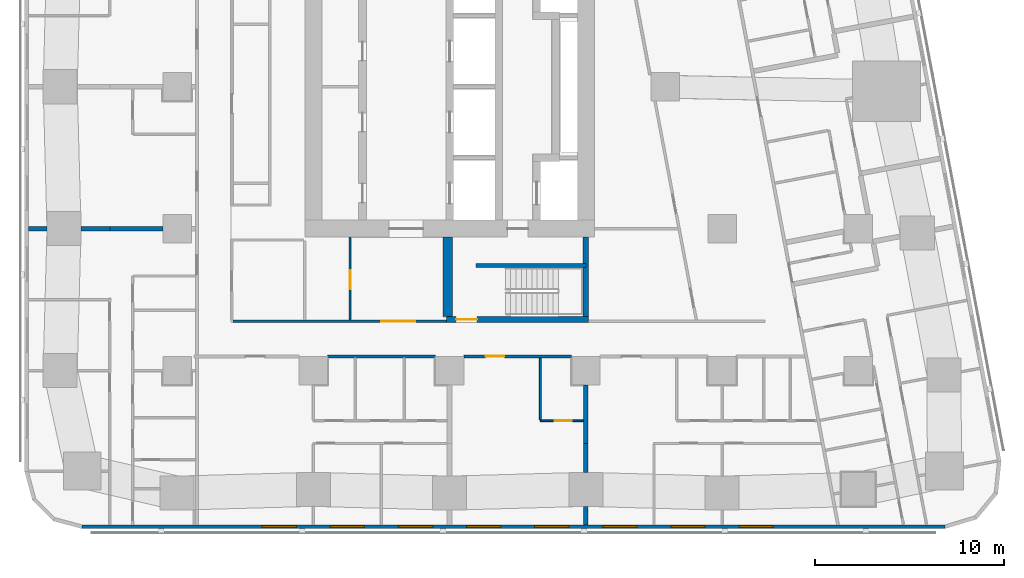
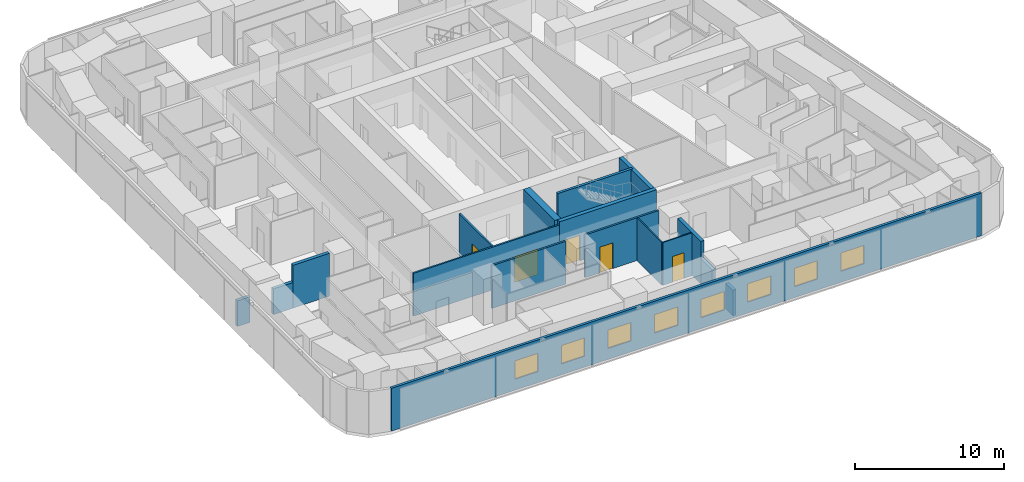
# One storey, part 3 of 15: 17 walls, 8 windows, 5 doors, 13 openings.
"""IFC4 building model written with IfcOpenShell, lengths in metres."""

from ifc_helpers import new_model, si_unit, direction, frame, frame_2d, origin, place, context, subcontext, project, spatial, rectangle, extrude, material, layer, layer_set, type_object, element, fill, save


model = new_model("IFC4")

# Units and contexts
model_context = context("Model", 3, precision=1e-05, world=origin(), true_north=direction((0.0, 1.0)))
body_context = subcontext(model_context, "Body", "Model", "MODEL_VIEW")
ifc_project = project(units=[si_unit("LENGTHUNIT", "METRE"), si_unit("AREAUNIT", "SQUARE_METRE"), si_unit("VOLUMEUNIT", "CUBIC_METRE"), si_unit("PLANEANGLEUNIT", "RADIAN"), si_unit("MASSUNIT", "GRAM", prefix="KILO")], contexts=[model_context])

# Site, building, storey
site_placement = place(None, origin())
site = spatial("IfcSite", under=ifc_project, at=site_placement, CompositionType="ELEMENT")
building_placement = place(site_placement, origin())
building = spatial("IfcBuilding", under=site, at=building_placement, Name="Sheger Commons Tower", CompositionType="ELEMENT")
storey_placement = place(building_placement, frame((0.0, 0.0, 177.050048828125)))
storey = spatial("IfcBuildingStorey", under=building, at=storey_placement, Name="L45", CompositionType="ELEMENT", Elevation=177.050048828125)

# Wall, opening, door
ifc_material_1 = material(Name="Hollow concrete block masonry, skimmed both sides", Category="masonry")
ifc_layer_1 = layer(ifc_material_1, 0.14990234375)
ifc_layer_set_1 = layer_set([ifc_layer_1], Name="CORRIDOR WALL 150")
wall_type_1 = type_object("IfcWallType", Name="CORRIDOR WALL 150", PredefinedType="SOLIDWALL", material=ifc_layer_set_1)
wall_1_placement = place(storey_placement, frame((28.049072265625, 8.25, 0.0), z_axis=(0.0, 0.0, 1.0), x_axis=(-1.0, 0.0, 0.0)))
wall_1 = element("IfcWall", 1, at=wall_1_placement, inside=storey, type_object=wall_type_1, Name="Corridor wall L45", PredefinedType="SOLIDWALL", context=body_context, shape_type="SweptSolid", body=[
    extrude(rectangle(XDim=5.697998046875, YDim=0.14990234375, at=frame_2d((2.84912109375, 0.0))), origin(), (0.0, 0.0, 1.0), 3.5),
])
opening_1_placement = place(wall_1_placement, frame((3.549072265625, 0.0, 0.0)))
opening_1 = element("IfcOpeningElement", 2, at=opening_1_placement, cuts=wall_1, Name="Opening D1", PredefinedType="OPENING", context=body_context, shape_type="SweptSolid", body=[
    extrude(rectangle(XDim=1.0, YDim=2.10009765625, at=frame_2d((0.5, 1.050048828125))), frame((0.0, 0.0849609375, 0.0), z_axis=(0.0, -1.0, 0.0), x_axis=(1.0, 0.0, 0.0)), (0.0, 0.0, 1.0), 0.169921875),
])
ifc_material_2 = material(Name="Steel door set, fire rated", Category="steel")
door_type_1 = type_object("IfcDoorType", Name="FLAT ENTRANCE DOOR 1000x2100", OperationType="NOTDEFINED", PredefinedType="DOOR", material=ifc_material_2)
door_1_placement = place(opening_1_placement, origin())
door_1 = element("IfcDoor", 3, at=door_1_placement, inside=storey, type_object=door_type_1, Name="Flat entrance door", OperationType="SINGLE_SWING_RIGHT", OverallHeight=2.10009765625, OverallWidth=1.0, PredefinedType="DOOR", context=body_context, shape_type="SweptSolid", body=[
    extrude(rectangle(XDim=1.0, YDim=2.10009765625, at=frame_2d((0.5, 1.050048828125))), frame((0.0, 0.02490234375, 0.0), z_axis=(0.0, -1.0, 0.0), x_axis=(1.0, 0.0, 0.0)), (0.0, 0.0, 1.0), 0.050048828125),
])
fill(opening_1, door_1)

# Walls
wall_2_placement = place(storey_placement, frame((20.84912109375, 8.25, 0.0), z_axis=(0.0, 0.0, 1.0), x_axis=(-1.0, 0.0, 0.0)))
element("IfcWall", 4, at=wall_2_placement, inside=storey, type_object=wall_type_1, Name="Corridor wall L45", PredefinedType="SOLIDWALL", context=body_context, shape_type="SweptSolid", body=[
    extrude(rectangle(XDim=5.6982421875, YDim=0.14990234375, at=frame_2d((2.84912109375, 0.0))), origin(), (0.0, 0.0, 1.0), 3.5),
])
ifc_material_3 = material(Name="Dense concrete block masonry, plastered both sides (separating wall between flats)", Category="masonry")
ifc_layer_2 = layer(ifc_material_3, 0.25)
ifc_layer_set_2 = layer_set([ifc_layer_2], Name="DEMISING WALL 250")
wall_type_2 = type_object("IfcWallType", Name="DEMISING WALL 250", PredefinedType="SOLIDWALL", material=ifc_layer_set_2)
wall_3_placement = place(storey_placement, frame((-0.64990234375, 15.0, 0.0), z_axis=(0.0, 0.0, 1.0), x_axis=(1.0, 0.0, 0.0)))
element("IfcWall", 5, at=wall_3_placement, inside=storey, type_object=wall_type_2, Name="Demising wall L45", PredefinedType="SOLIDWALL", context=body_context, shape_type="SweptSolid", body=[
    extrude(rectangle(XDim=0.973876953125, YDim=0.25, at=frame_2d((0.48681640625, 0.0))), origin(), (0.0, 0.0, 1.0), 2.099853515625),
])
wall_4_placement = place(storey_placement, frame((2.1259765625, 15.0, 0.0), z_axis=(0.0, 0.0, 1.0), x_axis=(1.0, 0.0, 0.0)))
element("IfcWall", 6, at=wall_4_placement, inside=storey, type_object=wall_type_2, Name="Demising wall L45", PredefinedType="SOLIDWALL", context=body_context, shape_type="SweptSolid", body=[
    extrude(rectangle(XDim=1.52392578125, YDim=0.25, at=frame_2d((0.761962890625, 0.0))), origin(), (0.0, 0.0, 1.0), 2.099853515625),
])
wall_5_placement = place(storey_placement, frame((3.64990234375, 15.0, 0.0), z_axis=(0.0, 0.0, 1.0), x_axis=(1.0, 0.0, 0.0)))
element("IfcWall", 7, at=wall_5_placement, inside=storey, type_object=wall_type_2, Name="Demising wall L45", PredefinedType="SOLIDWALL", context=body_context, shape_type="SweptSolid", body=[
    extrude(rectangle(XDim=2.799072265625, YDim=0.25, at=frame_2d((1.3994140625, 0.0))), origin(), (0.0, 0.0, 1.0), 3.5),
])
wall_6_placement = place(storey_placement, frame((28.800048828125, -0.64990234375, 0.0), z_axis=(0.0, 0.0, 1.0), x_axis=(0.0, 1.0, 0.0)))
element("IfcWall", 8, at=wall_6_placement, inside=storey, type_object=wall_type_2, Name="Demising wall L45", PredefinedType="SOLIDWALL", context=body_context, shape_type="SweptSolid", body=[
    extrude(rectangle(XDim=0.973876953125, YDim=0.25, at=frame_2d((0.48681640625, 0.0))), origin(), (0.0, 0.0, 1.0), 2.099853515625),
])
wall_7_placement = place(storey_placement, frame((28.800048828125, 2.1259765625, 0.0), z_axis=(0.0, 0.0, 1.0), x_axis=(0.0, 1.0, 0.0)))
element("IfcWall", 9, at=wall_7_placement, inside=storey, type_object=wall_type_2, Name="Demising wall L45", PredefinedType="SOLIDWALL", context=body_context, shape_type="SweptSolid", body=[
    extrude(rectangle(XDim=1.52392578125, YDim=0.25, at=frame_2d((0.761962890625, 0.0))), origin(), (0.0, 0.0, 1.0), 2.099853515625),
])
wall_8_placement = place(storey_placement, frame((28.800048828125, 3.64990234375, 0.0), z_axis=(0.0, 0.0, 1.0), x_axis=(0.0, 1.0, 0.0)))
element("IfcWall", 10, at=wall_8_placement, inside=storey, type_object=wall_type_2, Name="Demising wall L45", PredefinedType="SOLIDWALL", context=body_context, shape_type="SweptSolid", body=[
    extrude(rectangle(XDim=3.09912109375, YDim=0.25, at=frame_2d((1.549560546875, 0.0))), origin(), (0.0, 0.0, 1.0), 3.5),
])

# Wall, openings, windows
ifc_material_4 = material(Name="Rendered concrete block masonry, dark grey", Category="masonry")
ifc_layer_3 = layer(ifc_material_4, 0.199951171875)
ifc_layer_set_3 = layer_set([ifc_layer_3], Name="FACADE WALL 200")
wall_type_3 = type_object("IfcWallType", Name="FACADE WALL 200", PredefinedType="SOLIDWALL", material=ifc_layer_set_3)
wall_9_placement = place(storey_placement, frame((2.1630859375, -0.75, 0.0), z_axis=(0.0, 0.0, 1.0), x_axis=(1.0, 0.0, 0.0)))
wall_9 = element("IfcWall", 11, at=wall_9_placement, inside=storey, type_object=wall_type_3, Name="Facade wall L45", PredefinedType="SOLIDWALL", context=body_context, shape_type="SweptSolid", body=[
    extrude(rectangle(XDim=45.6279296875, YDim=0.199951171875, at=frame_2d((22.81396484375, 0.0))), origin(), (0.0, 0.0, 1.0), 3.5),
])
opening_2_placement = place(wall_9_placement, frame((9.537109375, 0.0, 0.89990234375)))
opening_2 = element("IfcOpeningElement", 12, at=opening_2_placement, cuts=wall_9, Name="Opening W2", PredefinedType="OPENING", context=body_context, shape_type="SweptSolid", body=[
    extrude(rectangle(XDim=1.800048828125, YDim=1.5, at=frame_2d((0.89990234375, 0.75))), frame((0.0, 0.10986328125, 0.0), z_axis=(0.0, -1.0, 0.0), x_axis=(1.0, 0.0, 0.0)), (0.0, 0.0, 1.0), 0.219970703125),
])
opening_3_placement = place(wall_9_placement, frame((13.136962890625, 0.0, 0.89990234375)))
opening_3 = element("IfcOpeningElement", 13, at=opening_3_placement, cuts=wall_9, Name="Opening W2", PredefinedType="OPENING", context=body_context, shape_type="SweptSolid", body=[
    extrude(rectangle(XDim=1.800048828125, YDim=1.5, at=frame_2d((0.89990234375, 0.75))), frame((0.0, 0.10986328125, 0.0), z_axis=(0.0, -1.0, 0.0), x_axis=(1.0, 0.0, 0.0)), (0.0, 0.0, 1.0), 0.219970703125),
])
opening_4_placement = place(wall_9_placement, frame((16.737060546875, 0.0, 0.89990234375)))
opening_4 = element("IfcOpeningElement", 14, at=opening_4_placement, cuts=wall_9, Name="Opening W2", PredefinedType="OPENING", context=body_context, shape_type="SweptSolid", body=[
    extrude(rectangle(XDim=1.800048828125, YDim=1.5, at=frame_2d((0.89990234375, 0.75))), frame((0.0, 0.10986328125, 0.0), z_axis=(0.0, -1.0, 0.0), x_axis=(1.0, 0.0, 0.0)), (0.0, 0.0, 1.0), 0.219970703125),
])
opening_5_placement = place(wall_9_placement, frame((20.3369140625, 0.0, 0.89990234375)))
opening_5 = element("IfcOpeningElement", 15, at=opening_5_placement, cuts=wall_9, Name="Opening W2", PredefinedType="OPENING", context=body_context, shape_type="SweptSolid", body=[
    extrude(rectangle(XDim=1.800048828125, YDim=1.5, at=frame_2d((0.89990234375, 0.75))), frame((0.0, 0.10986328125, 0.0), z_axis=(0.0, -1.0, 0.0), x_axis=(1.0, 0.0, 0.0)), (0.0, 0.0, 1.0), 0.219970703125),
])
opening_6_placement = place(wall_9_placement, frame((23.93701171875, 0.0, 0.89990234375)))
opening_6 = element("IfcOpeningElement", 16, at=opening_6_placement, cuts=wall_9, Name="Opening W2", PredefinedType="OPENING", context=body_context, shape_type="SweptSolid", body=[
    extrude(rectangle(XDim=1.800048828125, YDim=1.5, at=frame_2d((0.89990234375, 0.75))), frame((0.0, 0.10986328125, 0.0), z_axis=(0.0, -1.0, 0.0), x_axis=(1.0, 0.0, 0.0)), (0.0, 0.0, 1.0), 0.219970703125),
])
opening_7_placement = place(wall_9_placement, frame((27.537109375, 0.0, 0.89990234375)))
opening_7 = element("IfcOpeningElement", 17, at=opening_7_placement, cuts=wall_9, Name="Opening W2", PredefinedType="OPENING", context=body_context, shape_type="SweptSolid", body=[
    extrude(rectangle(XDim=1.800048828125, YDim=1.5, at=frame_2d((0.89990234375, 0.75))), frame((0.0, 0.10986328125, 0.0), z_axis=(0.0, -1.0, 0.0), x_axis=(1.0, 0.0, 0.0)), (0.0, 0.0, 1.0), 0.219970703125),
])
opening_8_placement = place(wall_9_placement, frame((31.136962890625, 0.0, 0.89990234375)))
opening_8 = element("IfcOpeningElement", 18, at=opening_8_placement, cuts=wall_9, Name="Opening W2", PredefinedType="OPENING", context=body_context, shape_type="SweptSolid", body=[
    extrude(rectangle(XDim=1.800048828125, YDim=1.5, at=frame_2d((0.89990234375, 0.75))), frame((0.0, 0.10986328125, 0.0), z_axis=(0.0, -1.0, 0.0), x_axis=(1.0, 0.0, 0.0)), (0.0, 0.0, 1.0), 0.219970703125),
])
opening_9_placement = place(wall_9_placement, frame((34.737060546875, 0.0, 0.89990234375)))
opening_9 = element("IfcOpeningElement", 19, at=opening_9_placement, cuts=wall_9, Name="Opening W2", PredefinedType="OPENING", context=body_context, shape_type="SweptSolid", body=[
    extrude(rectangle(XDim=1.800048828125, YDim=1.5, at=frame_2d((0.89990234375, 0.75))), frame((0.0, 0.10986328125, 0.0), z_axis=(0.0, -1.0, 0.0), x_axis=(1.0, 0.0, 0.0)), (0.0, 0.0, 1.0), 0.219970703125),
])
ifc_material_5 = material(Name="Black aluminium frame, dark tinted double glazing", Category="aluminium")
window_type = type_object("IfcWindowType", Name="WINDOW W2 1800x1500", PartitioningType="SINGLE_PANEL", PredefinedType="WINDOW", material=ifc_material_5)
window_1_placement = place(opening_2_placement, origin())
window_1 = element("IfcWindow", 20, at=window_1_placement, inside=storey, type_object=window_type, Name="Window W2 1800X1500", OverallHeight=1.5, OverallWidth=1.800048828125, PartitioningType="SINGLE_PANEL", PredefinedType="WINDOW", context=body_context, shape_type="SweptSolid", body=[
    extrude(rectangle(XDim=1.800048828125, YDim=1.5, at=frame_2d((0.89990234375, 0.75))), frame((0.0, 0.030029296875, 0.0), z_axis=(0.0, -1.0, 0.0), x_axis=(1.0, 0.0, 0.0)), (0.0, 0.0, 1.0), 0.06005859375),
])
fill(opening_2, window_1)
window_2_placement = place(opening_3_placement, origin())
window_2 = element("IfcWindow", 21, at=window_2_placement, inside=storey, type_object=window_type, Name="Window W2 1800X1500", OverallHeight=1.5, OverallWidth=1.800048828125, PartitioningType="SINGLE_PANEL", PredefinedType="WINDOW", context=body_context, shape_type="SweptSolid", body=[
    extrude(rectangle(XDim=1.800048828125, YDim=1.5, at=frame_2d((0.89990234375, 0.75))), frame((0.0, 0.030029296875, 0.0), z_axis=(0.0, -1.0, 0.0), x_axis=(1.0, 0.0, 0.0)), (0.0, 0.0, 1.0), 0.06005859375),
])
fill(opening_3, window_2)
window_3_placement = place(opening_4_placement, origin())
window_3 = element("IfcWindow", 22, at=window_3_placement, inside=storey, type_object=window_type, Name="Window W2 1800X1500", OverallHeight=1.5, OverallWidth=1.800048828125, PartitioningType="SINGLE_PANEL", PredefinedType="WINDOW", context=body_context, shape_type="SweptSolid", body=[
    extrude(rectangle(XDim=1.800048828125, YDim=1.5, at=frame_2d((0.89990234375, 0.75))), frame((0.0, 0.030029296875, 0.0), z_axis=(0.0, -1.0, 0.0), x_axis=(1.0, 0.0, 0.0)), (0.0, 0.0, 1.0), 0.06005859375),
])
fill(opening_4, window_3)
window_4_placement = place(opening_5_placement, origin())
window_4 = element("IfcWindow", 23, at=window_4_placement, inside=storey, type_object=window_type, Name="Window W2 1800X1500", OverallHeight=1.5, OverallWidth=1.800048828125, PartitioningType="SINGLE_PANEL", PredefinedType="WINDOW", context=body_context, shape_type="SweptSolid", body=[
    extrude(rectangle(XDim=1.800048828125, YDim=1.5, at=frame_2d((0.89990234375, 0.75))), frame((0.0, 0.030029296875, 0.0), z_axis=(0.0, -1.0, 0.0), x_axis=(1.0, 0.0, 0.0)), (0.0, 0.0, 1.0), 0.06005859375),
])
fill(opening_5, window_4)
window_5_placement = place(opening_6_placement, origin())
window_5 = element("IfcWindow", 24, at=window_5_placement, inside=storey, type_object=window_type, Name="Window W2 1800X1500", OverallHeight=1.5, OverallWidth=1.800048828125, PartitioningType="SINGLE_PANEL", PredefinedType="WINDOW", context=body_context, shape_type="SweptSolid", body=[
    extrude(rectangle(XDim=1.800048828125, YDim=1.5, at=frame_2d((0.89990234375, 0.75))), frame((0.0, 0.030029296875, 0.0), z_axis=(0.0, -1.0, 0.0), x_axis=(1.0, 0.0, 0.0)), (0.0, 0.0, 1.0), 0.06005859375),
])
fill(opening_6, window_5)
window_6_placement = place(opening_7_placement, origin())
window_6 = element("IfcWindow", 25, at=window_6_placement, inside=storey, type_object=window_type, Name="Window W2 1800X1500", OverallHeight=1.5, OverallWidth=1.800048828125, PartitioningType="SINGLE_PANEL", PredefinedType="WINDOW", context=body_context, shape_type="SweptSolid", body=[
    extrude(rectangle(XDim=1.800048828125, YDim=1.5, at=frame_2d((0.89990234375, 0.75))), frame((0.0, 0.030029296875, 0.0), z_axis=(0.0, -1.0, 0.0), x_axis=(1.0, 0.0, 0.0)), (0.0, 0.0, 1.0), 0.06005859375),
])
fill(opening_7, window_6)
window_7_placement = place(opening_8_placement, origin())
window_7 = element("IfcWindow", 26, at=window_7_placement, inside=storey, type_object=window_type, Name="Window W2 1800X1500", OverallHeight=1.5, OverallWidth=1.800048828125, PartitioningType="SINGLE_PANEL", PredefinedType="WINDOW", context=body_context, shape_type="SweptSolid", body=[
    extrude(rectangle(XDim=1.800048828125, YDim=1.5, at=frame_2d((0.89990234375, 0.75))), frame((0.0, 0.030029296875, 0.0), z_axis=(0.0, -1.0, 0.0), x_axis=(1.0, 0.0, 0.0)), (0.0, 0.0, 1.0), 0.06005859375),
])
fill(opening_8, window_7)
window_8_placement = place(opening_9_placement, origin())
window_8 = element("IfcWindow", 27, at=window_8_placement, inside=storey, type_object=window_type, Name="Window W2 1800X1500", OverallHeight=1.5, OverallWidth=1.800048828125, PartitioningType="SINGLE_PANEL", PredefinedType="WINDOW", context=body_context, shape_type="SweptSolid", body=[
    extrude(rectangle(XDim=1.800048828125, YDim=1.5, at=frame_2d((0.89990234375, 0.75))), frame((0.0, 0.030029296875, 0.0), z_axis=(0.0, -1.0, 0.0), x_axis=(1.0, 0.0, 0.0)), (0.0, 0.0, 1.0), 0.06005859375),
])
fill(opening_9, window_8)

# Wall, opening, door
ifc_material_6 = material(Name="Gypsum board on steel studs", Category="steel")
ifc_layer_4 = layer(ifc_material_6, 0.10009765625)
ifc_layer_set_4 = layer_set([ifc_layer_4], Name="PARTITION 100")
wall_type_4 = type_object("IfcWallType", Name="PARTITION 100", PredefinedType="PARTITIONING", material=ifc_layer_set_4)
wall_10_placement = place(storey_placement, frame((28.675048828125, 4.85009765625, 0.0), z_axis=(0.0, 0.0, 1.0), x_axis=(-1.0, 0.0, 0.0)))
wall_10 = element("IfcWall", 28, at=wall_10_placement, inside=storey, type_object=wall_type_4, Name="Partition L45", PredefinedType="PARTITIONING", context=body_context, shape_type="SweptSolid", body=[
    extrude(rectangle(XDim=2.276123046875, YDim=0.10009765625, at=frame_2d((1.13818359375, 0.0))), origin(), (0.0, 0.0, 1.0), 3.5),
])
opening_10_placement = place(wall_10_placement, frame((0.6259765625, 0.0, 0.0)))
opening_10 = element("IfcOpeningElement", 29, at=opening_10_placement, cuts=wall_10, Name="Opening D2", PredefinedType="OPENING", context=body_context, shape_type="SweptSolid", body=[
    extrude(rectangle(XDim=0.89990234375, YDim=2.10009765625, at=frame_2d((0.449951171875, 1.050048828125))), frame((0.0, 0.06005859375, 0.0), z_axis=(0.0, -1.0, 0.0), x_axis=(1.0, 0.0, 0.0)), (0.0, 0.0, 1.0), 0.1201171875),
])
ifc_material_7 = material(Name="Timber door set", Category="wood")
door_type_2 = type_object("IfcDoorType", Name="INTERNAL DOOR 900x2100", OperationType="NOTDEFINED", PredefinedType="DOOR", material=ifc_material_7)
door_2_placement = place(opening_10_placement, origin())
door_2 = element("IfcDoor", 30, at=door_2_placement, inside=storey, type_object=door_type_2, Name="Bathroom door", OperationType="SINGLE_SWING_RIGHT", OverallHeight=2.10009765625, OverallWidth=0.89990234375, PredefinedType="DOOR", context=body_context, shape_type="SweptSolid", body=[
    extrude(rectangle(XDim=0.89990234375, YDim=2.10009765625, at=frame_2d((0.449951171875, 1.050048828125))), frame((0.0, 0.02490234375, 0.0), z_axis=(0.0, -1.0, 0.0), x_axis=(1.0, 0.0, 0.0)), (0.0, 0.0, 1.0), 0.050048828125),
])
fill(opening_10, door_2)

# Wall
wall_11_placement = place(storey_placement, frame((26.39892578125, 4.89990234375, 0.0), z_axis=(0.0, 0.0, 1.0), x_axis=(0.0, 1.0, 0.0)))
element("IfcWall", 31, at=wall_11_placement, inside=storey, type_object=wall_type_4, Name="Partition L45", PredefinedType="PARTITIONING", context=body_context, shape_type="SweptSolid", body=[
    extrude(rectangle(XDim=3.275146484375, YDim=0.10009765625, at=frame_2d((1.6376953125, 0.0))), origin(), (0.0, 0.0, 1.0), 3.5),
])

# Wall, opening, door
ifc_material_8 = material(Name="Gypsum board on steel studs, two layers each side, fire rated", Category="steel")
ifc_layer_5 = layer(ifc_material_8, 0.125)
ifc_layer_set_5 = layer_set([ifc_layer_5], Name="SERVICE WALL 125")
wall_type_5 = type_object("IfcWallType", Name="SERVICE WALL 125", PredefinedType="PARTITIONING", material=ifc_layer_set_5)
wall_12_placement = place(storey_placement, frame((10.162109375, 10.10009765625, 0.0), z_axis=(0.0, 0.0, 1.0), x_axis=(1.0, 0.0, 0.0)))
wall_12 = element("IfcWall", 32, at=wall_12_placement, inside=storey, type_object=wall_type_5, Name="Service room wall L45", PredefinedType="PARTITIONING", context=body_context, shape_type="SweptSolid", body=[
    extrude(rectangle(XDim=11.287841796875, YDim=0.125, at=frame_2d((5.64404296875, 0.0))), origin(), (0.0, 0.0, 1.0), 3.5),
])
opening_11_placement = place(wall_12_placement, frame((7.8330078125, 0.0, 0.0)))
opening_11 = element("IfcOpeningElement", 33, at=opening_11_placement, cuts=wall_12, Name="Opening D6", PredefinedType="OPENING", context=body_context, shape_type="SweptSolid", body=[
    extrude(rectangle(XDim=1.800048828125, YDim=2.10009765625, at=frame_2d((0.89990234375, 1.050048828125))), frame((0.0, 0.072509765625, 0.0), z_axis=(0.0, -1.0, 0.0), x_axis=(1.0, 0.0, 0.0)), (0.0, 0.0, 1.0), 0.14501953125),
])
ifc_material_9 = material(Name="Steel door set, fire rated", Category="steel")
door_type_3 = type_object("IfcDoorType", Name="LOBBY DOUBLE DOOR 1800x2100", OperationType="DOUBLE_DOOR_SINGLE_SWING", PredefinedType="DOOR", material=ifc_material_9)
door_3_placement = place(opening_11_placement, origin())
door_3 = element("IfcDoor", 34, at=door_3_placement, inside=storey, type_object=door_type_3, Name="Lift lobby south door", OperationType="DOUBLE_DOOR_SINGLE_SWING", OverallHeight=2.10009765625, OverallWidth=1.800048828125, PredefinedType="DOOR", context=body_context, shape_type="SweptSolid", body=[
    extrude(rectangle(XDim=1.800048828125, YDim=2.10009765625, at=frame_2d((0.89990234375, 1.050048828125))), frame((0.0, 0.02490234375, 0.0), z_axis=(0.0, -1.0, 0.0), x_axis=(1.0, 0.0, 0.0)), (0.0, 0.0, 1.0), 0.050048828125),
])
fill(opening_11, door_3)

wall_13_placement = place(storey_placement, frame((16.340087890625, 10.1630859375, 0.0), z_axis=(0.0, 0.0, 1.0), x_axis=(0.0, 1.0, 0.0)))
wall_13 = element("IfcWall", 35, at=wall_13_placement, inside=storey, type_object=wall_type_5, Name="Service room wall L45", PredefinedType="PARTITIONING", context=body_context, shape_type="SweptSolid", body=[
    extrude(rectangle(XDim=4.386962890625, YDim=0.125, at=frame_2d((2.193359375, 0.0))), origin(), (0.0, 0.0, 1.0), 3.5),
])
opening_12_placement = place(wall_13_placement, frame((1.636962890625, 0.0, 0.0)))
opening_12 = element("IfcOpeningElement", 36, at=opening_12_placement, cuts=wall_13, Name="Opening D4", PredefinedType="OPENING", context=body_context, shape_type="SweptSolid", body=[
    extrude(rectangle(XDim=1.0, YDim=2.10009765625, at=frame_2d((0.5, 1.050048828125))), frame((0.0, 0.072509765625, 0.0), z_axis=(0.0, -1.0, 0.0), x_axis=(1.0, 0.0, 0.0)), (0.0, 0.0, 1.0), 0.14501953125),
])
ifc_material_10 = material(Name="Steel door set, fire rated", Category="steel")
door_type_4 = type_object("IfcDoorType", Name="SERVICE DOOR 1000x2100", OperationType="NOTDEFINED", PredefinedType="DOOR", material=ifc_material_10)
door_4_placement = place(opening_12_placement, origin())
door_4 = element("IfcDoor", 37, at=door_4_placement, inside=storey, type_object=door_type_4, Name="Electrical room door", OperationType="SINGLE_SWING_LEFT", OverallHeight=2.10009765625, OverallWidth=1.0, PredefinedType="DOOR", context=body_context, shape_type="SweptSolid", body=[
    extrude(rectangle(XDim=1.0, YDim=2.10009765625, at=frame_2d((0.5, 1.050048828125))), frame((0.0, 0.02490234375, 0.0), z_axis=(0.0, -1.0, 0.0), x_axis=(1.0, 0.0, 0.0)), (0.0, 0.0, 1.0), 0.050048828125),
])
fill(opening_12, door_4)

ifc_material_11 = material(Name="Concrete C50/60", Category="concrete")
ifc_layer_6 = layer(ifc_material_11, 0.300048828125)
ifc_layer_set_6 = layer_set([ifc_layer_6], Name="STAIR CORE WALL 300")
wall_type_6 = type_object("IfcWallType", Name="STAIR CORE WALL 300", PredefinedType="SHEAR", material=ifc_layer_set_6)
wall_14_placement = place(storey_placement, frame((21.449951171875, 10.199951171875, 0.0), z_axis=(0.0, 0.0, 1.0), x_axis=(1.0, 0.0, 0.0)))
wall_14 = element("IfcWall", 38, at=wall_14_placement, inside=storey, type_object=wall_type_6, Name="STW-L45-S1S", PredefinedType="SHEAR", context=body_context, shape_type="SweptSolid", body=[
    extrude(rectangle(XDim=7.5, YDim=0.300048828125, at=frame_2d((3.75, 0.0))), origin(), (0.0, 0.0, 1.0), 3.75),
])
opening_13_placement = place(wall_14_placement, frame((0.5, 0.0, 0.0)))
opening_13 = element("IfcOpeningElement", 39, at=opening_13_placement, cuts=wall_14, Name="Opening D5", PredefinedType="OPENING", context=body_context, shape_type="SweptSolid", body=[
    extrude(rectangle(XDim=1.10009765625, YDim=2.10009765625, at=frame_2d((0.550048828125, 1.050048828125))), frame((0.0, 0.159912109375, 0.0), z_axis=(0.0, -1.0, 0.0), x_axis=(1.0, 0.0, 0.0)), (0.0, 0.0, 1.0), 0.320068359375),
])
ifc_material_12 = material(Name="Steel door set, fire rated", Category="steel")
door_type_5 = type_object("IfcDoorType", Name="STAIR DOOR 1100x2100", OperationType="NOTDEFINED", PredefinedType="DOOR", material=ifc_material_12)
door_5_placement = place(opening_13_placement, origin())
door_5 = element("IfcDoor", 40, at=door_5_placement, inside=storey, type_object=door_type_5, Name="Stair S1 door", OperationType="SINGLE_SWING_LEFT", OverallHeight=2.10009765625, OverallWidth=1.10009765625, PredefinedType="DOOR", context=body_context, shape_type="SweptSolid", body=[
    extrude(rectangle(XDim=1.10009765625, YDim=2.10009765625, at=frame_2d((0.550048828125, 1.050048828125))), frame((0.0, 0.02490234375, 0.0), z_axis=(0.0, -1.0, 0.0), x_axis=(1.0, 0.0, 0.0)), (0.0, 0.0, 1.0), 0.050048828125),
])
fill(opening_13, door_5)

# Walls
wall_15_placement = place(storey_placement, frame((28.800048828125, 10.35009765625, 0.0), z_axis=(0.0, 0.0, 1.0), x_axis=(0.0, 1.0, 0.0)))
element("IfcWall", 41, at=wall_15_placement, inside=storey, type_object=wall_type_6, Name="STW-L45-S1E", PredefinedType="SHEAR", context=body_context, shape_type="SweptSolid", body=[
    extrude(rectangle(XDim=4.199951171875, YDim=0.300048828125, at=frame_2d((2.10009765625, 0.0))), origin(), (0.0, 0.0, 1.0), 3.75),
])
ifc_material_13 = material(Name="Concrete C50/60", Category="concrete")
ifc_layer_7 = layer(ifc_material_13, 0.5)
ifc_layer_set_7 = layer_set([ifc_layer_7], Name="STAIR CORE WALL 500")
wall_type_7 = type_object("IfcWallType", Name="STAIR CORE WALL 500", PredefinedType="SHEAR", material=ifc_layer_set_7)
wall_16_placement = place(storey_placement, frame((21.5, 10.35009765625, 0.0), z_axis=(0.0, 0.0, 1.0), x_axis=(0.0, 1.0, 0.0)))
element("IfcWall", 42, at=wall_16_placement, inside=storey, type_object=wall_type_7, Name="STW-L45-S1W", PredefinedType="SHEAR", context=body_context, shape_type="SweptSolid", body=[
    extrude(rectangle(XDim=4.199951171875, YDim=0.5, at=frame_2d((2.10009765625, 0.0))), origin(), (0.0, 0.0, 1.0), 3.75),
])
ifc_material_14 = material(Name="Concrete C50/60", Category="concrete")
ifc_layer_8 = layer(ifc_material_14, 0.199951171875)
ifc_layer_set_8 = layer_set([ifc_layer_8], Name="STAIR SPINE WALL 200")
wall_type_8 = type_object("IfcWallType", Name="STAIR SPINE WALL 200", PredefinedType="SHEAR", material=ifc_layer_set_8)
wall_17_placement = place(storey_placement, frame((23.0, 13.050048828125, 0.0), z_axis=(0.0, 0.0, 1.0), x_axis=(1.0, 0.0, 0.0)))
element("IfcWall", 43, at=wall_17_placement, inside=storey, type_object=wall_type_8, Name="Stair spine wall L45", PredefinedType="SHEAR", context=body_context, shape_type="SweptSolid", body=[
    extrude(rectangle(XDim=5.800048828125, YDim=0.199951171875, at=frame_2d((2.89990234375, 0.0))), origin(), (0.0, 0.0, 1.0), 3.75),
])

save(model, "model.ifc")
